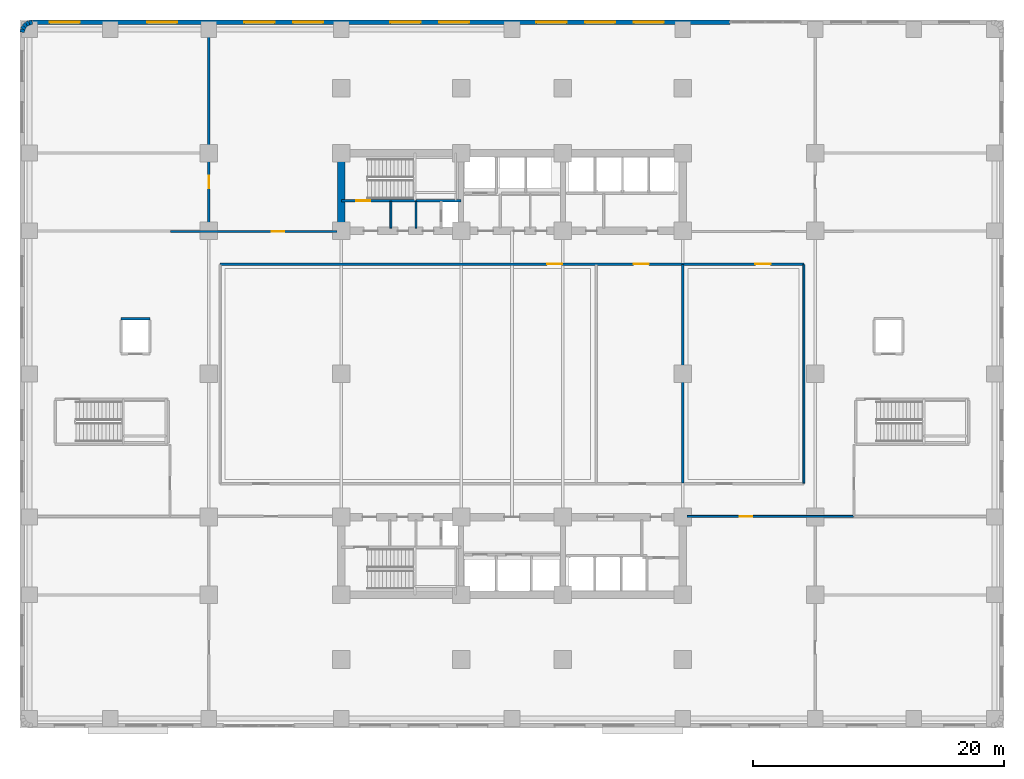
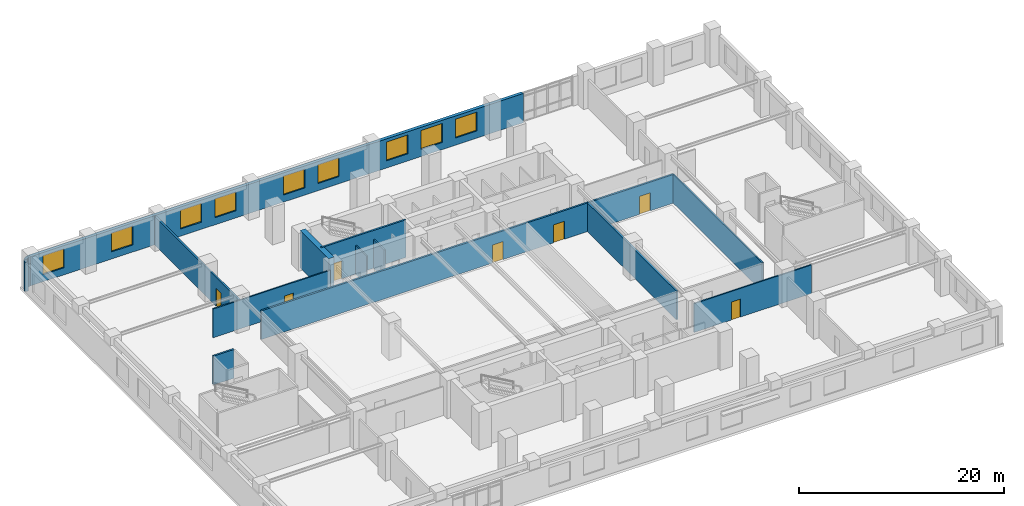
# One storey, part 8 of 14: 17 walls, 9 windows, 7 doors, 16 openings.
"""IFC4 building model written with IfcOpenShell, lengths in metres."""

from ifc_helpers import new_model, si_unit, direction, frame, frame_2d, origin, place, context, subcontext, project, spatial, rectangle, extrude, material, layer, layer_set, type_object, element, fill, save


model = new_model("IFC4")

# Units and contexts
model_context = context("Model", 3, precision=1e-05, world=origin(), true_north=direction((0.0, 1.0)))
body_context = subcontext(model_context, "Body", "Model", "MODEL_VIEW")
ifc_project = project(units=[si_unit("LENGTHUNIT", "METRE"), si_unit("AREAUNIT", "SQUARE_METRE"), si_unit("VOLUMEUNIT", "CUBIC_METRE"), si_unit("PLANEANGLEUNIT", "RADIAN"), si_unit("MASSUNIT", "GRAM", prefix="KILO")], contexts=[model_context])

# Site, building, storey
site_placement = place(None, origin())
site = spatial("IfcSite", under=ifc_project, at=site_placement, CompositionType="ELEMENT")
building_placement = place(site_placement, origin())
building = spatial("IfcBuilding", under=site, at=building_placement, Name="Svetorya Sky Lyceum", CompositionType="ELEMENT")
storey_placement = place(building_placement, frame((0.0, 0.0, 15.60009765625)))
storey = spatial("IfcBuildingStorey", under=building, at=storey_placement, Name="L03", CompositionType="ELEMENT", Elevation=15.60009765625)

# Wall
ifc_material_1 = material(Name="Concrete C60/75", Category="concrete")
ifc_layer_1 = layer(ifc_material_1, 0.60009765625)
ifc_layer_set_1 = layer_set([ifc_layer_1], Name="Concrete C60/75")
wall_type_1 = type_object("IfcWallType", Name="WL-CORE-600", PredefinedType="SHEAR", material=ifc_layer_set_1)
wall_1_placement = place(storey_placement, frame((25.60009765625, 39.89990234375, 0.0), z_axis=(0.0, 0.0, 1.0), x_axis=(0.0, 1.0, 0.0)))
element("IfcWall", 1, at=wall_1_placement, inside=storey, type_object=wall_type_1, Name="L03 NC West Core Shear Wall", PredefinedType="SHEAR", context=body_context, shape_type="SweptSolid", body=[
    extrude(rectangle(XDim=5.60009765625, YDim=0.60009765625, at=frame_2d((2.800048828125, 0.0))), origin(), (0.0, 0.0, 1.0), 4.5),
])

# Wall, openings, windows
ifc_material_2 = material(Name="Putilovo limestone rainscreen on autoclaved cellular masonry", Category="masonry")
ifc_layer_2 = layer(ifc_material_2, 0.360107421875)
ifc_layer_set_2 = layer_set([ifc_layer_2], Name="Putilovo limestone rainscreen on autoclaved cellular masonry")
wall_type_2 = type_object("IfcWallType", Name="WL-EXT-360", PredefinedType="SOLIDWALL", material=ifc_layer_set_2)
wall_2_placement = place(storey_placement, frame((56.570068359375, 56.219970703125, 0.0), z_axis=(0.0, 0.0, 1.0), x_axis=(-1.0, 0.0, 0.0)))
wall_2 = element("IfcWall", 2, at=wall_2_placement, inside=storey, type_object=wall_type_2, Name="L03 Limestone Exterior Wall 18B", PredefinedType="SOLIDWALL", context=body_context, shape_type="SweptSolid", body=[
    extrude(rectangle(XDim=55.590087890625, YDim=0.360107421875, at=frame_2d((27.794921875, 0.0))), origin(), (0.0, 0.0, 1.0), 3.47998046875),
])
opening_1_placement = place(wall_2_placement, frame((5.266845703125, 0.0, 0.85009765625)))
opening_1 = element("IfcOpeningElement", 3, at=opening_1_placement, cuts=wall_2, Name="Opening W-S1", PredefinedType="OPENING", context=body_context, shape_type="SweptSolid", body=[
    extrude(rectangle(XDim=2.39990234375, YDim=2.25, at=frame_2d((1.199951171875, 1.125))), frame((0.0, 0.18994140625, 0.0), z_axis=(0.0, -1.0, 0.0), x_axis=(1.0, 0.0, 0.0)), (0.0, 0.0, 1.0), 0.380126953125),
])
opening_2_placement = place(wall_2_placement, frame((9.14453125, 0.0, 0.85009765625)))
opening_2 = element("IfcOpeningElement", 4, at=opening_2_placement, cuts=wall_2, Name="Opening W-S1", PredefinedType="OPENING", context=body_context, shape_type="SweptSolid", body=[
    extrude(rectangle(XDim=2.39990234375, YDim=2.25, at=frame_2d((1.199951171875, 1.125))), frame((0.0, 0.18994140625, 0.0), z_axis=(0.0, -1.0, 0.0), x_axis=(1.0, 0.0, 0.0)), (0.0, 0.0, 1.0), 0.380126953125),
])
opening_3_placement = place(wall_2_placement, frame((13.0224609375, 0.0, 0.85009765625)))
opening_3 = element("IfcOpeningElement", 5, at=opening_3_placement, cuts=wall_2, Name="Opening W-S1", PredefinedType="OPENING", context=body_context, shape_type="SweptSolid", body=[
    extrude(rectangle(XDim=2.39990234375, YDim=2.25, at=frame_2d((1.199951171875, 1.125))), frame((0.0, 0.18994140625, 0.0), z_axis=(0.0, -1.0, 0.0), x_axis=(1.0, 0.0, 0.0)), (0.0, 0.0, 1.0), 0.380126953125),
])
opening_4_placement = place(wall_2_placement, frame((20.7783203125, 0.0, 0.85009765625)))
opening_4 = element("IfcOpeningElement", 6, at=opening_4_placement, cuts=wall_2, Name="Opening W-S1", PredefinedType="OPENING", context=body_context, shape_type="SweptSolid", body=[
    extrude(rectangle(XDim=2.39990234375, YDim=2.25, at=frame_2d((1.199951171875, 1.125))), frame((0.0, 0.18994140625, 0.0), z_axis=(0.0, -1.0, 0.0), x_axis=(1.0, 0.0, 0.0)), (0.0, 0.0, 1.0), 0.380126953125),
])
opening_5_placement = place(wall_2_placement, frame((24.656005859375, 0.0, 0.85009765625)))
opening_5 = element("IfcOpeningElement", 7, at=opening_5_placement, cuts=wall_2, Name="Opening W-S1", PredefinedType="OPENING", context=body_context, shape_type="SweptSolid", body=[
    extrude(rectangle(XDim=2.39990234375, YDim=2.25, at=frame_2d((1.199951171875, 1.125))), frame((0.0, 0.18994140625, 0.0), z_axis=(0.0, -1.0, 0.0), x_axis=(1.0, 0.0, 0.0)), (0.0, 0.0, 1.0), 0.380126953125),
])
opening_6_placement = place(wall_2_placement, frame((32.411865234375, 0.0, 0.85009765625)))
opening_6 = element("IfcOpeningElement", 8, at=opening_6_placement, cuts=wall_2, Name="Opening W-S1", PredefinedType="OPENING", context=body_context, shape_type="SweptSolid", body=[
    extrude(rectangle(XDim=2.39990234375, YDim=2.25, at=frame_2d((1.199951171875, 1.125))), frame((0.0, 0.18994140625, 0.0), z_axis=(0.0, -1.0, 0.0), x_axis=(1.0, 0.0, 0.0)), (0.0, 0.0, 1.0), 0.380126953125),
])
opening_7_placement = place(wall_2_placement, frame((36.28955078125, 0.0, 0.85009765625)))
opening_7 = element("IfcOpeningElement", 9, at=opening_7_placement, cuts=wall_2, Name="Opening W-S1", PredefinedType="OPENING", context=body_context, shape_type="SweptSolid", body=[
    extrude(rectangle(XDim=2.39990234375, YDim=2.25, at=frame_2d((1.199951171875, 1.125))), frame((0.0, 0.18994140625, 0.0), z_axis=(0.0, -1.0, 0.0), x_axis=(1.0, 0.0, 0.0)), (0.0, 0.0, 1.0), 0.380126953125),
])
opening_8_placement = place(wall_2_placement, frame((44.04541015625, 0.0, 0.85009765625)))
opening_8 = element("IfcOpeningElement", 10, at=opening_8_placement, cuts=wall_2, Name="Opening W-S1", PredefinedType="OPENING", context=body_context, shape_type="SweptSolid", body=[
    extrude(rectangle(XDim=2.39990234375, YDim=2.25, at=frame_2d((1.199951171875, 1.125))), frame((0.0, 0.18994140625, 0.0), z_axis=(0.0, -1.0, 0.0), x_axis=(1.0, 0.0, 0.0)), (0.0, 0.0, 1.0), 0.380126953125),
])
opening_9_placement = place(wall_2_placement, frame((51.801025390625, 0.0, 0.85009765625)))
opening_9 = element("IfcOpeningElement", 11, at=opening_9_placement, cuts=wall_2, Name="Opening W-S1", PredefinedType="OPENING", context=body_context, shape_type="SweptSolid", body=[
    extrude(rectangle(XDim=2.39990234375, YDim=2.25, at=frame_2d((1.199951171875, 1.125))), frame((0.0, 0.18994140625, 0.0), z_axis=(0.0, -1.0, 0.0), x_axis=(1.0, 0.0, 0.0)), (0.0, 0.0, 1.0), 0.380126953125),
])
ifc_material_3 = material(Name="Thermally broken aluminium frame with triple low-E glazing", Category="aluminium")
window_type = type_object("IfcWindowType", Name="WN-SCH-240", PartitioningType="TRIPLE_PANEL_HORIZONTAL", PredefinedType="WINDOW", material=ifc_material_3)
window_1_placement = place(opening_1_placement, origin())
window_1 = element("IfcWindow", 12, at=window_1_placement, inside=storey, type_object=window_type, Name="L03 Facade Window W-S1.18B.1", OverallHeight=2.25, OverallWidth=2.39990234375, PartitioningType="SINGLE_PANEL", PredefinedType="WINDOW", context=body_context, shape_type="SweptSolid", body=[
    extrude(rectangle(XDim=2.39990234375, YDim=2.25, at=frame_2d((1.199951171875, 1.125))), frame((0.0, 0.030029296875, 0.0), z_axis=(0.0, -1.0, 0.0), x_axis=(1.0, 0.0, 0.0)), (0.0, 0.0, 1.0), 0.06005859375),
])
fill(opening_1, window_1)
window_2_placement = place(opening_2_placement, origin())
window_2 = element("IfcWindow", 13, at=window_2_placement, inside=storey, type_object=window_type, Name="L03 Facade Window W-S1.18B.2", OverallHeight=2.25, OverallWidth=2.39990234375, PartitioningType="SINGLE_PANEL", PredefinedType="WINDOW", context=body_context, shape_type="SweptSolid", body=[
    extrude(rectangle(XDim=2.39990234375, YDim=2.25, at=frame_2d((1.199951171875, 1.125))), frame((0.0, 0.030029296875, 0.0), z_axis=(0.0, -1.0, 0.0), x_axis=(1.0, 0.0, 0.0)), (0.0, 0.0, 1.0), 0.06005859375),
])
fill(opening_2, window_2)
window_3_placement = place(opening_3_placement, origin())
window_3 = element("IfcWindow", 14, at=window_3_placement, inside=storey, type_object=window_type, Name="L03 Facade Window W-S1.18B.3", OverallHeight=2.25, OverallWidth=2.39990234375, PartitioningType="SINGLE_PANEL", PredefinedType="WINDOW", context=body_context, shape_type="SweptSolid", body=[
    extrude(rectangle(XDim=2.39990234375, YDim=2.25, at=frame_2d((1.199951171875, 1.125))), frame((0.0, 0.030029296875, 0.0), z_axis=(0.0, -1.0, 0.0), x_axis=(1.0, 0.0, 0.0)), (0.0, 0.0, 1.0), 0.06005859375),
])
fill(opening_3, window_3)
window_4_placement = place(opening_4_placement, origin())
window_4 = element("IfcWindow", 15, at=window_4_placement, inside=storey, type_object=window_type, Name="L03 Facade Window W-S1.18B.4", OverallHeight=2.25, OverallWidth=2.39990234375, PartitioningType="SINGLE_PANEL", PredefinedType="WINDOW", context=body_context, shape_type="SweptSolid", body=[
    extrude(rectangle(XDim=2.39990234375, YDim=2.25, at=frame_2d((1.199951171875, 1.125))), frame((0.0, 0.030029296875, 0.0), z_axis=(0.0, -1.0, 0.0), x_axis=(1.0, 0.0, 0.0)), (0.0, 0.0, 1.0), 0.06005859375),
])
fill(opening_4, window_4)
window_5_placement = place(opening_5_placement, origin())
window_5 = element("IfcWindow", 16, at=window_5_placement, inside=storey, type_object=window_type, Name="L03 Facade Window W-S1.18B.5", OverallHeight=2.25, OverallWidth=2.39990234375, PartitioningType="SINGLE_PANEL", PredefinedType="WINDOW", context=body_context, shape_type="SweptSolid", body=[
    extrude(rectangle(XDim=2.39990234375, YDim=2.25, at=frame_2d((1.199951171875, 1.125))), frame((0.0, 0.030029296875, 0.0), z_axis=(0.0, -1.0, 0.0), x_axis=(1.0, 0.0, 0.0)), (0.0, 0.0, 1.0), 0.06005859375),
])
fill(opening_5, window_5)
window_6_placement = place(opening_6_placement, origin())
window_6 = element("IfcWindow", 17, at=window_6_placement, inside=storey, type_object=window_type, Name="L03 Facade Window W-S1.18B.6", OverallHeight=2.25, OverallWidth=2.39990234375, PartitioningType="SINGLE_PANEL", PredefinedType="WINDOW", context=body_context, shape_type="SweptSolid", body=[
    extrude(rectangle(XDim=2.39990234375, YDim=2.25, at=frame_2d((1.199951171875, 1.125))), frame((0.0, 0.030029296875, 0.0), z_axis=(0.0, -1.0, 0.0), x_axis=(1.0, 0.0, 0.0)), (0.0, 0.0, 1.0), 0.06005859375),
])
fill(opening_6, window_6)
window_7_placement = place(opening_7_placement, origin())
window_7 = element("IfcWindow", 18, at=window_7_placement, inside=storey, type_object=window_type, Name="L03 Facade Window W-S1.18B.7", OverallHeight=2.25, OverallWidth=2.39990234375, PartitioningType="SINGLE_PANEL", PredefinedType="WINDOW", context=body_context, shape_type="SweptSolid", body=[
    extrude(rectangle(XDim=2.39990234375, YDim=2.25, at=frame_2d((1.199951171875, 1.125))), frame((0.0, 0.030029296875, 0.0), z_axis=(0.0, -1.0, 0.0), x_axis=(1.0, 0.0, 0.0)), (0.0, 0.0, 1.0), 0.06005859375),
])
fill(opening_7, window_7)
window_8_placement = place(opening_8_placement, origin())
window_8 = element("IfcWindow", 19, at=window_8_placement, inside=storey, type_object=window_type, Name="L03 Facade Window W-S1.18B.8", OverallHeight=2.25, OverallWidth=2.39990234375, PartitioningType="SINGLE_PANEL", PredefinedType="WINDOW", context=body_context, shape_type="SweptSolid", body=[
    extrude(rectangle(XDim=2.39990234375, YDim=2.25, at=frame_2d((1.199951171875, 1.125))), frame((0.0, 0.030029296875, 0.0), z_axis=(0.0, -1.0, 0.0), x_axis=(1.0, 0.0, 0.0)), (0.0, 0.0, 1.0), 0.06005859375),
])
fill(opening_8, window_8)
window_9_placement = place(opening_9_placement, origin())
window_9 = element("IfcWindow", 20, at=window_9_placement, inside=storey, type_object=window_type, Name="L03 Facade Window W-S1.18B.9", OverallHeight=2.25, OverallWidth=2.39990234375, PartitioningType="SINGLE_PANEL", PredefinedType="WINDOW", context=body_context, shape_type="SweptSolid", body=[
    extrude(rectangle(XDim=2.39990234375, YDim=2.25, at=frame_2d((1.199951171875, 1.125))), frame((0.0, 0.030029296875, 0.0), z_axis=(0.0, -1.0, 0.0), x_axis=(1.0, 0.0, 0.0)), (0.0, 0.0, 1.0), 0.06005859375),
])
fill(opening_9, window_9)

# Walls
wall_3_placement = place(storey_placement, frame((0.97998046875, 56.219970703125, 0.0), z_axis=(0.0, 0.0, 1.0), x_axis=(-0.987731290312, -0.156163049852, 0.0)))
element("IfcWall", 21, at=wall_3_placement, inside=storey, type_object=wall_type_2, Name="L03 Limestone Exterior Wall 19M", PredefinedType="SOLIDWALL", context=body_context, shape_type="SweptSolid", body=[
    extrude(rectangle(XDim=0.250244140625, YDim=0.360107421875, at=frame_2d((0.125, 0.0))), origin(), (0.0, 0.0, 1.0), 3.47998046875),
])
wall_4_placement = place(storey_placement, frame((0.73291015625, 56.180908203125, 0.0), z_axis=(0.0, 0.0, 1.0), x_axis=(-0.89089067942, -0.454217786225, 0.0)))
element("IfcWall", 22, at=wall_4_placement, inside=storey, type_object=wall_type_2, Name="L03 Limestone Exterior Wall 20M", PredefinedType="SOLIDWALL", context=body_context, shape_type="SweptSolid", body=[
    extrude(rectangle(XDim=0.25048828125, YDim=0.360107421875, at=frame_2d((0.125244140625, 0.0))), origin(), (0.0, 0.0, 1.0), 3.47998046875),
])
for number, where, z_axis, x_axis, name in (
    (23, (0.509765625, 56.067138671875, 0.0), (0.0, 0.0, 1.0), (-0.707106781187, -0.707106781187, 0.0), "L03 Limestone Exterior Wall 21M"),
    (24, (0.332763671875, 55.89013671875, 0.0), (0.0, 0.0, 1.0), (-0.453838055457, -0.891084182005, 0.0), "L03 Limestone Exterior Wall 22M"),
):
    element("IfcWall", number, at=place(storey_placement, frame(where, z_axis=z_axis, x_axis=x_axis)), inside=storey, type_object=wall_type_2, Name=name, PredefinedType="SOLIDWALL", context=body_context, shape_type="SweptSolid", body=[
        extrude(rectangle(XDim=0.250244140625, YDim=0.360107421875, at=frame_2d((0.125, 0.0))), origin(), (0.0, 0.0, 1.0), 3.47998046875),
    ])
wall_5_placement = place(storey_placement, frame((0.21923828125, 55.667236328125, 0.0), z_axis=(0.0, 0.0, 1.0), x_axis=(-0.156963773077, -0.987604361038, 0.0)))
element("IfcWall", 25, at=wall_5_placement, inside=storey, type_object=wall_type_2, Name="L03 Limestone Exterior Wall 23M", PredefinedType="SOLIDWALL", context=body_context, shape_type="SweptSolid", body=[
    extrude(rectangle(XDim=0.25048828125, YDim=0.360107421875, at=frame_2d((0.125244140625, 0.0))), origin(), (0.0, 0.0, 1.0), 3.47998046875),
])
ifc_material_4 = material(Name="Autoclaved cellular masonry blockwork with acoustic render", Category="masonry")
ifc_layer_3 = layer(ifc_material_4, 0.14990234375)
ifc_layer_set_3 = layer_set([ifc_layer_3], Name="Autoclaved cellular masonry blockwork with acoustic render")
wall_type_3 = type_object("IfcWallType", Name="WL-PART-150", PredefinedType="PARTITIONING", material=ifc_layer_set_3)
for number, where, z_axis, x_axis, name in (
    (26, (29.550048828125, 39.820068359375, 0.0), (0.0, 0.0, 1.0), (0.0, 1.0, 0.0), "L03 Interior Partition NC-NWD1"),
    (27, (31.550048828125, 39.820068359375, 0.0), (0.0, 0.0, 1.0), (0.0, 1.0, 0.0), "L03 Interior Partition NC-NWD2"),
):
    element("IfcWall", number, at=place(storey_placement, frame(where, z_axis=z_axis, x_axis=x_axis)), inside=storey, type_object=wall_type_3, Name=name, PredefinedType="PARTITIONING", context=body_context, shape_type="SweptSolid", body=[
        extrude(rectangle(XDim=2.1298828125, YDim=0.14990234375, at=frame_2d((1.06494140625, 0.0))), origin(), (0.0, 0.0, 1.0), 3.419921875),
    ])
wall_6_placement = place(storey_placement, frame((62.449951171875, 19.5, 0.0), z_axis=(0.0, 0.0, 1.0), x_axis=(0.0, 1.0, 0.0)))
element("IfcWall", 28, at=wall_6_placement, inside=storey, type_object=wall_type_3, Name="L03 Interior Partition CEN-E", PredefinedType="PARTITIONING", context=body_context, shape_type="SweptSolid", body=[
    extrude(rectangle(XDim=17.39990234375, YDim=0.14990234375, at=frame_2d((8.699951171875, 0.0))), origin(), (0.0, 0.0, 1.0), 3.419921875),
])

# Wall, opening, door
wall_7_placement = place(storey_placement, frame((53.14990234375, 16.85009765625, 0.0), z_axis=(0.0, 0.0, 1.0), x_axis=(1.0, 0.0, 0.0)))
wall_7 = element("IfcWall", 29, at=wall_7_placement, inside=storey, type_object=wall_type_3, Name="L03 Interior Partition SE-CORR", PredefinedType="PARTITIONING", context=body_context, shape_type="SweptSolid", body=[
    extrude(rectangle(XDim=13.25, YDim=0.14990234375, at=frame_2d((6.625, 0.0))), origin(), (0.0, 0.0, 1.0), 3.419921875),
])
opening_10_placement = place(wall_7_placement, frame((4.199951171875, 0.0, 0.0)))
opening_10 = element("IfcOpeningElement", 30, at=opening_10_placement, cuts=wall_7, Name="Opening D-RM2", PredefinedType="OPENING", context=body_context, shape_type="SweptSolid", body=[
    extrude(rectangle(XDim=1.0, YDim=2.14990234375, at=frame_2d((0.5, 1.074951171875))), frame((0.0, 0.0849609375, 0.0), z_axis=(0.0, -1.0, 0.0), x_axis=(1.0, 0.0, 0.0)), (0.0, 0.0, 1.0), 0.169921875),
])
ifc_material_5 = material(Name="Solid-core oak acoustic room door")
door_type_1 = type_object("IfcDoorType", Name="DR-INT-1000", OperationType="SINGLE_SWING_LEFT", PredefinedType="DOOR", material=ifc_material_5)
door_1_placement = place(opening_10_placement, origin())
door_1 = element("IfcDoor", 31, at=door_1_placement, inside=storey, type_object=door_type_1, Name="L03 Classroom SE1 Door", OperationType="SINGLE_SWING_RIGHT", OverallHeight=2.14990234375, OverallWidth=1.0, PredefinedType="DOOR", context=body_context, shape_type="SweptSolid", body=[
    extrude(rectangle(XDim=1.0, YDim=2.14990234375, at=frame_2d((0.5, 1.074951171875))), frame((0.0, 0.02490234375, 0.0), z_axis=(0.0, -1.0, 0.0), x_axis=(1.0, 0.0, 0.0)), (0.0, 0.0, 1.0), 0.050048828125),
])
fill(opening_10, door_1)

wall_8_placement = place(storey_placement, frame((25.25, 39.550048828125, 0.0), z_axis=(0.0, 0.0, 1.0), x_axis=(-1.0, 0.0, 0.0)))
wall_8 = element("IfcWall", 32, at=wall_8_placement, inside=storey, type_object=wall_type_3, Name="L03 Interior Partition NW-CORR", PredefinedType="PARTITIONING", context=body_context, shape_type="SweptSolid", body=[
    extrude(rectangle(XDim=13.25, YDim=0.14990234375, at=frame_2d((6.625, 0.0))), origin(), (0.0, 0.0, 1.0), 3.419921875),
])
opening_11_placement = place(wall_8_placement, frame((4.199951171875, 0.0, 0.0)))
opening_11 = element("IfcOpeningElement", 33, at=opening_11_placement, cuts=wall_8, Name="Opening D-RM2", PredefinedType="OPENING", context=body_context, shape_type="SweptSolid", body=[
    extrude(rectangle(XDim=1.0, YDim=2.14990234375, at=frame_2d((0.5, 1.074951171875))), frame((0.0, 0.0849609375, 0.0), z_axis=(0.0, -1.0, 0.0), x_axis=(1.0, 0.0, 0.0)), (0.0, 0.0, 1.0), 0.169921875),
])
door_2_placement = place(opening_11_placement, origin())
door_2 = element("IfcDoor", 34, at=door_2_placement, inside=storey, type_object=door_type_1, Name="L03 Classroom NW2 Door", OperationType="SINGLE_SWING_RIGHT", OverallHeight=2.14990234375, OverallWidth=1.0, PredefinedType="DOOR", context=body_context, shape_type="SweptSolid", body=[
    extrude(rectangle(XDim=1.0, YDim=2.14990234375, at=frame_2d((0.5, 1.074951171875))), frame((0.0, 0.02490234375, 0.0), z_axis=(0.0, -1.0, 0.0), x_axis=(1.0, 0.0, 0.0)), (0.0, 0.0, 1.0), 0.050048828125),
])
fill(opening_11, door_2)

# Walls
ifc_material_6 = material(Name="Autoclaved cellular masonry blockwork with gypsum plaster", Category="masonry")
ifc_layer_4 = layer(ifc_material_6, 0.199951171875)
ifc_layer_set_4 = layer_set([ifc_layer_4], Name="Autoclaved cellular masonry blockwork with gypsum plaster")
wall_type_4 = type_object("IfcWallType", Name="WL-PART-200", PredefinedType="PARTITIONING", material=ifc_layer_set_4)
wall_9_placement = place(storey_placement, frame((8.050048828125, 32.60009765625, 0.0), z_axis=(0.0, 0.0, 1.0), x_axis=(1.0, 0.0, 0.0)))
element("IfcWall", 35, at=wall_9_placement, inside=storey, type_object=wall_type_4, Name="L03 Interior Partition SHL-N-SCHL1", PredefinedType="PARTITIONING", context=body_context, shape_type="SweptSolid", body=[
    extrude(rectangle(XDim=2.300048828125, YDim=0.199951171875, at=frame_2d((1.14990234375, 0.0))), origin(), (0.0, 0.0, 1.0), 3.419921875),
])
wall_10_placement = place(storey_placement, frame((52.800048828125, 19.5, 0.0), z_axis=(0.0, 0.0, 1.0), x_axis=(0.0, 1.0, 0.0)))
element("IfcWall", 36, at=wall_10_placement, inside=storey, type_object=wall_type_4, Name="L03 Interior Partition CEN-DIV-2", PredefinedType="PARTITIONING", context=body_context, shape_type="SweptSolid", body=[
    extrude(rectangle(XDim=17.39990234375, YDim=0.199951171875, at=frame_2d((8.699951171875, 0.0))), origin(), (0.0, 0.0, 1.0), 3.419921875),
])

# Wall, openings, doors
wall_11_placement = place(storey_placement, frame((62.449951171875, 36.949951171875, 0.0), z_axis=(0.0, 0.0, 1.0), x_axis=(-1.0, 0.0, 0.0)))
wall_11 = element("IfcWall", 37, at=wall_11_placement, inside=storey, type_object=wall_type_4, Name="L03 Interior Partition CEN-N", PredefinedType="PARTITIONING", context=body_context, shape_type="SweptSolid", body=[
    extrude(rectangle(XDim=46.5, YDim=0.199951171875, at=frame_2d((23.25, 0.0))), origin(), (0.0, 0.0, 1.0), 3.419921875),
])
opening_12_placement = place(wall_11_placement, frame((19.25, 0.0, 0.0)))
opening_12 = element("IfcOpeningElement", 38, at=opening_12_placement, cuts=wall_11, Name="Opening D-SC1", PredefinedType="OPENING", context=body_context, shape_type="SweptSolid", body=[
    extrude(rectangle(XDim=1.199951171875, YDim=2.14990234375, at=frame_2d((0.60009765625, 1.074951171875))), frame((0.0, 0.10986328125, 0.0), z_axis=(0.0, -1.0, 0.0), x_axis=(1.0, 0.0, 0.0)), (0.0, 0.0, 1.0), 0.219970703125),
])
opening_13_placement = place(wall_11_placement, frame((12.35009765625, 0.0, 0.0)))
opening_13 = element("IfcOpeningElement", 39, at=opening_13_placement, cuts=wall_11, Name="Opening D-SC1", PredefinedType="OPENING", context=body_context, shape_type="SweptSolid", body=[
    extrude(rectangle(XDim=1.199951171875, YDim=2.14990234375, at=frame_2d((0.60009765625, 1.074951171875))), frame((0.0, 0.10986328125, 0.0), z_axis=(0.0, -1.0, 0.0), x_axis=(1.0, 0.0, 0.0)), (0.0, 0.0, 1.0), 0.219970703125),
])
opening_14_placement = place(wall_11_placement, frame((2.64990234375, 0.0, 0.0)))
opening_14 = element("IfcOpeningElement", 40, at=opening_14_placement, cuts=wall_11, Name="Opening D-SC1", PredefinedType="OPENING", context=body_context, shape_type="SweptSolid", body=[
    extrude(rectangle(XDim=1.199951171875, YDim=2.14990234375, at=frame_2d((0.60009765625, 1.074951171875))), frame((0.0, 0.10986328125, 0.0), z_axis=(0.0, -1.0, 0.0), x_axis=(1.0, 0.0, 0.0)), (0.0, 0.0, 1.0), 0.219970703125),
])
ifc_material_7 = material(Name="Acoustic solid-core birch classroom door")
door_type_2 = type_object("IfcDoorType", Name="DR-SCH-1200", OperationType="SINGLE_SWING_LEFT", PredefinedType="DOOR", material=ifc_material_7)
door_3_placement = place(opening_12_placement, origin())
door_3 = element("IfcDoor", 41, at=door_3_placement, inside=storey, type_object=door_type_2, Name="L03 Gymnasium Sports Hall North Door", OperationType="SINGLE_SWING_RIGHT", OverallHeight=2.14990234375, OverallWidth=1.199951171875, PredefinedType="DOOR", context=body_context, shape_type="SweptSolid", body=[
    extrude(rectangle(XDim=1.199951171875, YDim=2.14990234375, at=frame_2d((0.60009765625, 1.074951171875))), frame((0.0, 0.02490234375, 0.0), z_axis=(0.0, -1.0, 0.0), x_axis=(1.0, 0.0, 0.0)), (0.0, 0.0, 1.0), 0.050048828125),
])
fill(opening_12, door_3)
door_4_placement = place(opening_13_placement, origin())
door_4 = element("IfcDoor", 42, at=door_4_placement, inside=storey, type_object=door_type_2, Name="L03 Bathroom Pupil Changing Room North Door", OperationType="SINGLE_SWING_LEFT", OverallHeight=2.14990234375, OverallWidth=1.199951171875, PredefinedType="DOOR", context=body_context, shape_type="SweptSolid", body=[
    extrude(rectangle(XDim=1.199951171875, YDim=2.14990234375, at=frame_2d((0.60009765625, 1.074951171875))), frame((0.0, 0.02490234375, 0.0), z_axis=(0.0, -1.0, 0.0), x_axis=(1.0, 0.0, 0.0)), (0.0, 0.0, 1.0), 0.050048828125),
])
fill(opening_13, door_4)
door_5_placement = place(opening_14_placement, origin())
door_5 = element("IfcDoor", 43, at=door_5_placement, inside=storey, type_object=door_type_2, Name="L03 Laboratory Chemistry Teaching North Door", OperationType="SINGLE_SWING_RIGHT", OverallHeight=2.14990234375, OverallWidth=1.199951171875, PredefinedType="DOOR", context=body_context, shape_type="SweptSolid", body=[
    extrude(rectangle(XDim=1.199951171875, YDim=2.14990234375, at=frame_2d((0.60009765625, 1.074951171875))), frame((0.0, 0.02490234375, 0.0), z_axis=(0.0, -1.0, 0.0), x_axis=(1.0, 0.0, 0.0)), (0.0, 0.0, 1.0), 0.050048828125),
])
fill(opening_14, door_5)

# Wall, opening, door
wall_12_placement = place(storey_placement, frame((15.050048828125, 39.60009765625, 0.0), z_axis=(0.0, 0.0, 1.0), x_axis=(0.0, 1.0, 0.0)))
wall_12 = element("IfcWall", 44, at=wall_12_placement, inside=storey, type_object=wall_type_4, Name="L03 Interior Partition NW-DIV", PredefinedType="PARTITIONING", context=body_context, shape_type="SweptSolid", body=[
    extrude(rectangle(XDim=16.39990234375, YDim=0.199951171875, at=frame_2d((8.199951171875, 0.0))), origin(), (0.0, 0.0, 1.0), 3.419921875),
])
opening_15_placement = place(wall_12_placement, frame((3.39990234375, 0.0, 0.0)))
opening_15 = element("IfcOpeningElement", 45, at=opening_15_placement, cuts=wall_12, Name="Opening D-RM2", PredefinedType="OPENING", context=body_context, shape_type="SweptSolid", body=[
    extrude(rectangle(XDim=1.0, YDim=2.14990234375, at=frame_2d((0.5, 1.074951171875))), frame((0.0, 0.10986328125, 0.0), z_axis=(0.0, -1.0, 0.0), x_axis=(1.0, 0.0, 0.0)), (0.0, 0.0, 1.0), 0.219970703125),
])
door_6_placement = place(opening_15_placement, origin())
door_6 = element("IfcDoor", 46, at=door_6_placement, inside=storey, type_object=door_type_1, Name="L03 Seminar Room Door", OperationType="SINGLE_SWING_LEFT", OverallHeight=2.14990234375, OverallWidth=1.0, PredefinedType="DOOR", context=body_context, shape_type="SweptSolid", body=[
    extrude(rectangle(XDim=1.0, YDim=2.14990234375, at=frame_2d((0.5, 1.074951171875))), frame((0.0, 0.02490234375, 0.0), z_axis=(0.0, -1.0, 0.0), x_axis=(1.0, 0.0, 0.0)), (0.0, 0.0, 1.0), 0.050048828125),
])
fill(opening_15, door_6)

ifc_material_8 = material(Name="Concrete C50/60", Category="concrete")
ifc_layer_5 = layer(ifc_material_8, 0.199951171875)
ifc_layer_set_5 = layer_set([ifc_layer_5], Name="Concrete C50/60")
wall_type_5 = type_object("IfcWallType", Name="WL-SHW-200", PredefinedType="SHEAR", material=ifc_layer_set_5)
wall_13_placement = place(storey_placement, frame((35.14990234375, 42.0, 0.0), z_axis=(0.0, 0.0, 1.0), x_axis=(-1.0, 0.0, 0.0)))
wall_13 = element("IfcWall", 47, at=wall_13_placement, inside=storey, type_object=wall_type_5, Name="L03 Structural Stair Shaft Wall NC-STW", PredefinedType="SHEAR", context=body_context, shape_type="SweptSolid", body=[
    extrude(rectangle(XDim=9.5498046875, YDim=0.199951171875, at=frame_2d((4.77490234375, 0.0))), origin(), (0.0, 0.0, 1.0), 4.5),
])
opening_16_placement = place(wall_13_placement, frame((7.25, 0.0, 0.0)))
opening_16 = element("IfcOpeningElement", 48, at=opening_16_placement, cuts=wall_13, Name="Opening D-ST1", PredefinedType="OPENING", context=body_context, shape_type="SweptSolid", body=[
    extrude(rectangle(XDim=1.10009765625, YDim=2.14990234375, at=frame_2d((0.550048828125, 1.074951171875))), frame((0.0, 0.10986328125, 0.0), z_axis=(0.0, -1.0, 0.0), x_axis=(1.0, 0.0, 0.0)), (0.0, 0.0, 1.0), 0.219970703125),
])
ifc_material_9 = material(Name="Powder-coated insulated galvanized stair fire door")
door_type_3 = type_object("IfcDoorType", Name="DR-FIRE-1100", OperationType="SINGLE_SWING_LEFT", PredefinedType="DOOR", material=ifc_material_9)
door_7_placement = place(opening_16_placement, origin())
door_7 = element("IfcDoor", 49, at=door_7_placement, inside=storey, type_object=door_type_3, Name="L03 Stair ST-N Vestibule Fire Door", OperationType="SINGLE_SWING_RIGHT", OverallHeight=2.14990234375, OverallWidth=1.10009765625, PredefinedType="DOOR", context=body_context, shape_type="SweptSolid", body=[
    extrude(rectangle(XDim=1.10009765625, YDim=2.14990234375, at=frame_2d((0.550048828125, 1.074951171875))), frame((0.0, 0.02490234375, 0.0), z_axis=(0.0, -1.0, 0.0), x_axis=(1.0, 0.0, 0.0)), (0.0, 0.0, 1.0), 0.050048828125),
])
fill(opening_16, door_7)

save(model, "model.ifc")
